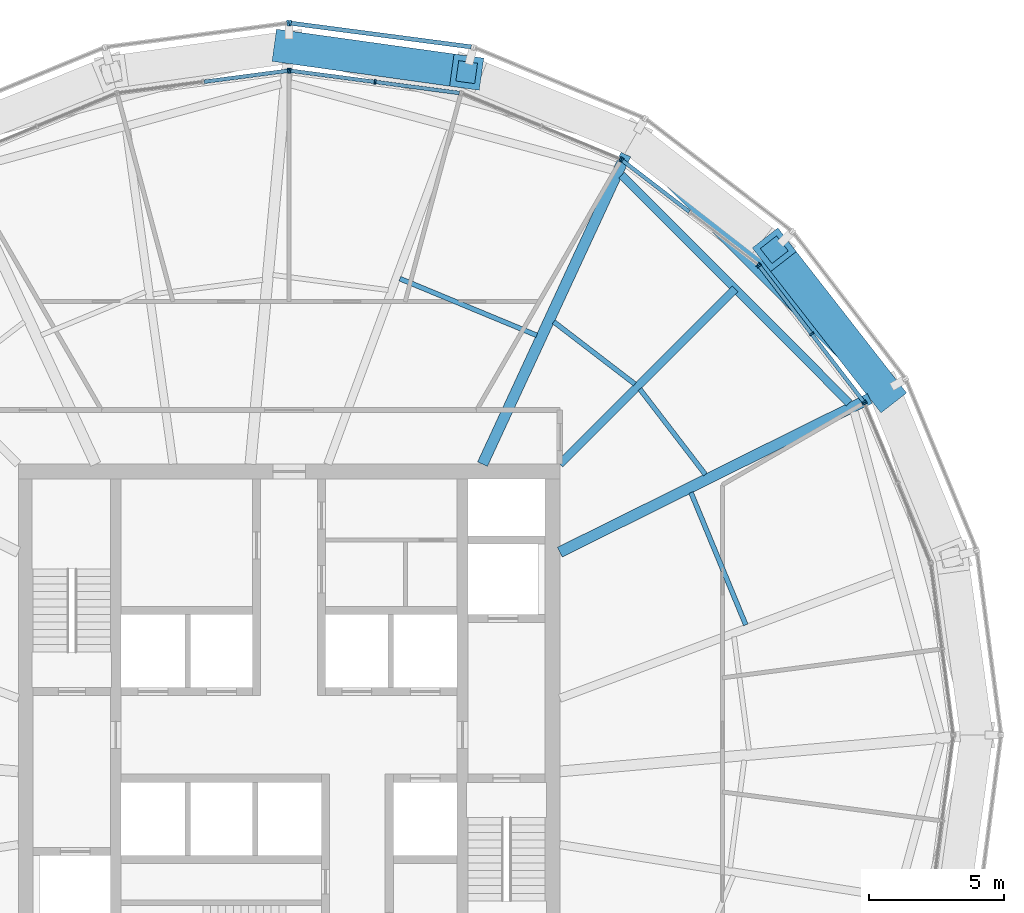
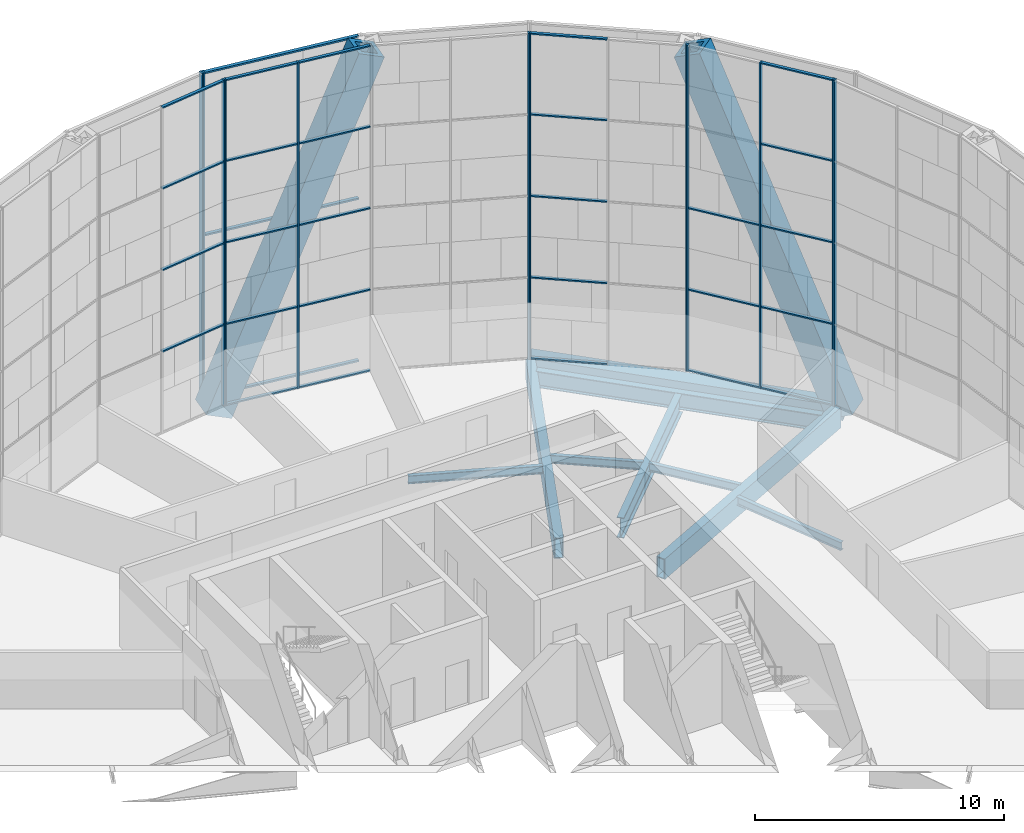
# One storey, part 10 of 29: 44 members, 9 beams, 8 elements without a shape of their own.
"""IFC4 building model written with IfcOpenShell, lengths in metres."""

from ifc_helpers import new_model, si_unit, direction, frame, origin, origin_2d, place, context, subcontext, project, spatial, rectangle, hollow_rectangle, i_section, extrude, material, material_profile, profile_set, type_object, element, aggregate, save


model = new_model("IFC4")

# Units and contexts
model_context = context("Model", 3, precision=1e-05, world=origin(), true_north=direction((0.0, 1.0)))
body_context = subcontext(model_context, "Body", "Model", "MODEL_VIEW")
ifc_project = project(units=[si_unit("LENGTHUNIT", "METRE"), si_unit("AREAUNIT", "SQUARE_METRE"), si_unit("VOLUMEUNIT", "CUBIC_METRE"), si_unit("PLANEANGLEUNIT", "RADIAN"), si_unit("MASSUNIT", "GRAM", prefix="KILO")], contexts=[model_context])

# Site, building, storey
site_placement = place(None, origin())
site = spatial("IfcSite", under=ifc_project, at=site_placement, CompositionType="ELEMENT")
building_placement = place(site_placement, origin())
building = spatial("IfcBuilding", under=site, at=building_placement, Name="Golbaran Civic Tower", CompositionType="ELEMENT")
storey_placement = place(building_placement, frame((0.0, 0.0, 118.0)))
storey = spatial("IfcBuildingStorey", under=building, at=storey_placement, Name="L28", CompositionType="ELEMENT", Elevation=118.0)

# Members
ifc_material_1 = material(Name="Steel S355", Category="steel")
ifc_material_profile_1 = material_profile(ifc_material_1, hollow_rectangle(XDim=1.199951171875, YDim=1.199951171875, WallThickness=0.219970703125, at=origin_2d()), Name="BOX 1200x1200x220")
ifc_profile_set_1 = profile_set([ifc_material_profile_1], Name="Steel S355")
member_type_1 = type_object("IfcMemberType", Name="DIAGRID DIAGONAL BOX 1200x1200x220", PredefinedType="BRACE", material=ifc_profile_set_1)
member_1_placement = place(storey_placement, frame((21.990966796875, 12.696533203125, -0.7099609375), z_axis=(-0.235212402726, 0.301533756345, 0.923987293954), x_axis=(-0.788481923563, -0.615057929153, 0.0)))
element("IfcMember", 1, at=member_1_placement, inside=storey, type_object=member_type_1, Name="Diagonal D06-01R L28-L32", PredefinedType="BRACE", context=body_context, shape_type="SweptSolid", body=[
    extrude(hollow_rectangle(XDim=1.199951171875, YDim=1.199951171875, WallThickness=0.219970703125, at=origin_2d()), origin(), (0.0, 0.0, 1.0), 17.316162109375),
])
member_2_placement = place(storey_placement, frame((0.0, 25.39306640625, -0.7099609375), z_axis=(0.378752046555, -0.052927158382, 0.923983551334), x_axis=(0.138396182918, 0.990376946699, 0.0)))
element("IfcMember", 2, at=member_2_placement, inside=storey, type_object=member_type_1, Name="Diagonal D06-03L L28-L32", PredefinedType="BRACE", context=body_context, shape_type="SweptSolid", body=[
    extrude(hollow_rectangle(XDim=1.199951171875, YDim=1.199951171875, WallThickness=0.219970703125, at=origin_2d()), origin(), (0.0, 0.0, 1.0), 17.31640625),
])

# Beams
ifc_material_profile_2 = material_profile(ifc_material_1, hollow_rectangle(XDim=0.699951171875, YDim=0.699951171875, WallThickness=0.080078125, at=origin_2d()), Name="BOX 700x700x80")
ifc_profile_set_2 = profile_set([ifc_material_profile_2], Name="Steel S355")
beam_type_1 = type_object("IfcBeamType", Name="DIAGRID RING TIE BOX 700x700x80", PredefinedType="BEAM", material=ifc_profile_set_2)
beam_1_placement = place(storey_placement, frame((21.990966796875, 12.696533203125, -0.7099609375), z_axis=(-0.707106781187, 0.707106781187, 0.0), x_axis=(-0.707106781187, -0.707106781187, 0.0)))
element("IfcBeam", 3, at=beam_1_placement, inside=storey, type_object=beam_type_1, Name="Ring tie 30.00 L28", PredefinedType="BEAM", context=body_context, shape_type="SweptSolid", body=[
    extrude(hollow_rectangle(XDim=0.699951171875, YDim=0.699951171875, WallThickness=0.080078125, at=origin_2d()), origin(), (0.0, 0.0, 1.0), 13.144287109375),
])
ifc_material_profile_3 = material_profile(ifc_material_1, i_section(OverallWidth=0.300048828125, OverallDepth=0.800048828125, WebThickness=0.017578125, FlangeThickness=0.032958984375, FilletRadius=0.030029296875, at=origin_2d()), Name="HEB 800")
ifc_profile_set_3 = profile_set([ifc_material_profile_3], Name="Steel S355")
beam_type_2 = type_object("IfcBeamType", Name="EDGE BEAM HEB 800", PredefinedType="BEAM", material=ifc_profile_set_3)
beam_2_placement = place(storey_placement, frame((20.690673828125, 12.252685546875, -0.60009765625), z_axis=(-0.70660386413, 0.707609340806, 0.0), x_axis=(-0.707609340806, -0.70660386413, 0.0)))
element("IfcBeam", 4, at=beam_2_placement, inside=storey, type_object=beam_type_2, Name="Edge beam 30.00 L28", PredefinedType="BEAM", context=body_context, shape_type="SweptSolid", body=[
    extrude(i_section(OverallWidth=0.300048828125, OverallDepth=0.800048828125, WebThickness=0.017578125, FlangeThickness=0.032958984375, FilletRadius=0.030029296875, at=origin_2d()), origin(), (0.0, 0.0, 1.0), 11.897705078125),
])
ifc_material_profile_4 = material_profile(ifc_material_1, i_section(OverallWidth=0.179931640625, OverallDepth=0.39990234375, WebThickness=0.008544921875, FlangeThickness=0.013427734375, FilletRadius=0.02099609375, at=origin_2d()), Name="IPE 400")
ifc_profile_set_4 = profile_set([ifc_material_profile_4], Name="Steel S355")
beam_type_3 = type_object("IfcBeamType", Name="FLOOR INFILL BEAM IPE 400", PredefinedType="BEAM", material=ifc_profile_set_4)
beam_3_placement = place(storey_placement, frame((16.86669921875, 4.061767578125, -0.39990234375), z_axis=(-0.382691381559, 0.923876239807, 0.0), x_axis=(-0.923876239807, -0.382691381559, 0.0)))
element("IfcBeam", 5, at=beam_3_placement, inside=storey, type_object=beam_type_3, Name="Infill beam 22.50 L28", PredefinedType="BEAM", context=body_context, shape_type="SweptSolid", body=[
    extrude(i_section(OverallWidth=0.179931640625, OverallDepth=0.39990234375, WebThickness=0.008544921875, FlangeThickness=0.013427734375, FilletRadius=0.02099609375, at=origin_2d()), origin(), (0.0, 0.0, 1.0), 5.291259765625),
])
beam_4_placement = place(storey_placement, frame((15.374267578125, 9.6162109375, -0.39990234375), z_axis=(-0.608757665926, 0.793356227792, 0.0), x_axis=(-0.793356227792, -0.608757665926, 0.0)))
element("IfcBeam", 6, at=beam_4_placement, inside=storey, type_object=beam_type_3, Name="Infill beam 37.50 L28", PredefinedType="BEAM", context=body_context, shape_type="SweptSolid", body=[
    extrude(i_section(OverallWidth=0.179931640625, OverallDepth=0.39990234375, WebThickness=0.008544921875, FlangeThickness=0.013427734375, FilletRadius=0.02099609375, at=origin_2d()), origin(), (0.0, 0.0, 1.0), 3.9755859375),
])
beam_5_placement = place(storey_placement, frame((12.771728515625, 12.95556640625, -0.39990234375), z_axis=(-0.793327475399, 0.608795135309, 0.0), x_axis=(-0.608795135309, -0.793327475399, 0.0)))
element("IfcBeam", 7, at=beam_5_placement, inside=storey, type_object=beam_type_3, Name="Infill beam 52.50 L28", PredefinedType="BEAM", context=body_context, shape_type="SweptSolid", body=[
    extrude(i_section(OverallWidth=0.179931640625, OverallDepth=0.39990234375, WebThickness=0.008544921875, FlangeThickness=0.013427734375, FilletRadius=0.02099609375, at=origin_2d()), origin(), (0.0, 0.0, 1.0), 3.77734375),
])
beam_6_placement = place(storey_placement, frame((9.147216796875, 14.756103515625, -0.39990234375), z_axis=(-0.923869483513, 0.382707691891, 0.0), x_axis=(-0.382707691891, -0.923869483513, 0.0)))
element("IfcBeam", 8, at=beam_6_placement, inside=storey, type_object=beam_type_3, Name="Infill beam 67.50 L28", PredefinedType="BEAM", context=body_context, shape_type="SweptSolid", body=[
    extrude(i_section(OverallWidth=0.179931640625, OverallDepth=0.39990234375, WebThickness=0.008544921875, FlangeThickness=0.013427734375, FilletRadius=0.02099609375, at=origin_2d()), origin(), (0.0, 0.0, 1.0), 5.472900390625),
])

# Curtain wall, member
ifc_material_2 = material(Name="Aluminium and glass", Category="aluminium")
curtain_wall_type_1 = type_object("IfcCurtainWallType", Name="INNER SKIN CURTAIN WALL", PredefinedType="NOTDEFINED", material=ifc_material_2)
curtain_wall_1_placement = place(storey_placement, origin())
curtain_wall_1 = element("IfcCurtainWall", 9, at=curtain_wall_1_placement, inside=storey, type_object=curtain_wall_type_1, Name="Inner skin L28 facet 2 CW1", ObjectType="INNER SKIN", PredefinedType="USERDEFINED")
ifc_material_3 = material(Name="Aluminium", Category="aluminium")
ifc_material_profile_5 = material_profile(ifc_material_3, rectangle(XDim=0.179931640625, YDim=0.06494140625, at=origin_2d()), Name="INNER SKIN CURTAIN WALL MULLION")
ifc_profile_set_5 = profile_set([ifc_material_profile_5], Name="Aluminium")
member_type_2 = type_object("IfcMemberType", Name="INNER SKIN CURTAIN WALL MULLION", PredefinedType="MULLION", material=ifc_profile_set_5)
member_3_placement = place(storey_placement, frame((21.259521484375, 12.237060546875, 0.0), z_axis=(0.0, 0.0, 1.0), x_axis=(-0.923879532485, -0.38268343243, 0.0)))
member_3 = element("IfcMember", 10, at=member_3_placement, type_object=member_type_2, Name="CW1 mullion 3", PredefinedType="MULLION", context=body_context, shape_type="SweptSolid", body=[
    extrude(rectangle(XDim=0.179931640625, YDim=0.06494140625, at=origin_2d()), origin(), (0.0, 0.0, 1.0), 16.0),
])
aggregate(curtain_wall_1, [member_3])

# Curtain wall, members
curtain_wall_2_placement = place(storey_placement, origin())
curtain_wall_2 = element("IfcCurtainWall", 11, at=curtain_wall_2_placement, inside=storey, type_object=curtain_wall_type_1, Name="Inner skin L28 facet 3 CW1", ObjectType="INNER SKIN", PredefinedType="USERDEFINED")
member_4_placement = place(storey_placement, frame((21.227294921875, 12.292724609375, 0.0), z_axis=(0.0, 0.0, 1.0), x_axis=(-0.793353340376, -0.608761428898, 0.0)))
member_4 = element("IfcMember", 12, at=member_4_placement, type_object=member_type_2, Name="CW1 mullion 1", PredefinedType="MULLION", context=body_context, shape_type="SweptSolid", body=[
    extrude(rectangle(XDim=0.179931640625, YDim=0.06494140625, at=origin_2d()), origin(), (0.0, 0.0, 1.0), 16.0),
])
member_5_placement = place(storey_placement, frame((19.297607421875, 14.8076171875, 0.0), z_axis=(0.0, 0.0, 1.0), x_axis=(-0.793353340376, -0.608761428898, 0.0)))
member_5 = element("IfcMember", 13, at=member_5_placement, type_object=member_type_2, Name="CW1 mullion 2", PredefinedType="MULLION", context=body_context, shape_type="SweptSolid", body=[
    extrude(rectangle(XDim=0.179931640625, YDim=0.06494140625, at=origin_2d()), origin(), (0.0, 0.0, 1.0), 16.0),
])
member_6_placement = place(storey_placement, frame((17.367919921875, 17.322265625, 0.0), z_axis=(0.0, 0.0, 1.0), x_axis=(-0.793353340376, -0.608761428898, 0.0)))
member_6 = element("IfcMember", 14, at=member_6_placement, type_object=member_type_2, Name="CW1 mullion 3", PredefinedType="MULLION", context=body_context, shape_type="SweptSolid", body=[
    extrude(rectangle(XDim=0.179931640625, YDim=0.06494140625, at=origin_2d()), origin(), (0.0, 0.0, 1.0), 16.0),
])

curtain_wall_3_placement = place(storey_placement, origin())
curtain_wall_3 = element("IfcCurtainWall", 15, at=curtain_wall_3_placement, inside=storey, type_object=curtain_wall_type_1, Name="Inner skin L28 facet 4 CW1", ObjectType="INNER SKIN", PredefinedType="USERDEFINED")
member_7_placement = place(storey_placement, frame((17.322265625, 17.367919921875, 0.0), z_axis=(0.0, 0.0, 1.0), x_axis=(-0.608761428898, -0.793353340376, 0.0)))
member_7 = element("IfcMember", 16, at=member_7_placement, type_object=member_type_2, Name="CW1 mullion 1", PredefinedType="MULLION", context=body_context, shape_type="SweptSolid", body=[
    extrude(rectangle(XDim=0.179931640625, YDim=0.06494140625, at=origin_2d()), origin(), (0.0, 0.0, 1.0), 16.0),
])
member_8_placement = place(storey_placement, frame((12.292724609375, 21.227294921875, 0.0), z_axis=(0.0, 0.0, 1.0), x_axis=(-0.608761428898, -0.793353340376, 0.0)))
member_8 = element("IfcMember", 17, at=member_8_placement, type_object=member_type_2, Name="CW1 mullion 3", PredefinedType="MULLION", context=body_context, shape_type="SweptSolid", body=[
    extrude(rectangle(XDim=0.179931640625, YDim=0.06494140625, at=origin_2d()), origin(), (0.0, 0.0, 1.0), 16.0),
])

# Curtain wall, member
curtain_wall_4_placement = place(storey_placement, origin())
curtain_wall_4 = element("IfcCurtainWall", 18, at=curtain_wall_4_placement, inside=storey, type_object=curtain_wall_type_1, Name="Inner skin L28 facet 5 CW1", ObjectType="INNER SKIN", PredefinedType="USERDEFINED")
member_9_placement = place(storey_placement, frame((12.237060546875, 21.259521484375, 0.0), z_axis=(0.0, 0.0, 1.0), x_axis=(-0.38268343243, -0.923879532485, 0.0)))
member_9 = element("IfcMember", 19, at=member_9_placement, type_object=member_type_2, Name="CW1 mullion 1", PredefinedType="MULLION", context=body_context, shape_type="SweptSolid", body=[
    extrude(rectangle(XDim=0.179931640625, YDim=0.06494140625, at=origin_2d()), origin(), (0.0, 0.0, 1.0), 16.0),
])
aggregate(curtain_wall_4, [member_9])

# Curtain wall, members
curtain_wall_5_placement = place(storey_placement, origin())
curtain_wall_5 = element("IfcCurtainWall", 20, at=curtain_wall_5_placement, inside=storey, type_object=curtain_wall_type_1, Name="Inner skin L28 facet 6 CW1", ObjectType="INNER SKIN", PredefinedType="USERDEFINED")
member_10_placement = place(storey_placement, frame((3.175048828125, 24.115966796875, 0.0), z_axis=(0.0, 0.0, 1.0), x_axis=(-0.130526192237, -0.991444861372, 0.0)))
member_10 = element("IfcMember", 21, at=member_10_placement, type_object=member_type_2, Name="CW1 mullion 2", PredefinedType="MULLION", context=body_context, shape_type="SweptSolid", body=[
    extrude(rectangle(XDim=0.179931640625, YDim=0.06494140625, at=origin_2d()), origin(), (0.0, 0.0, 1.0), 16.0),
])
member_11_placement = place(storey_placement, frame((0.0322265625, 24.52978515625, 0.0), z_axis=(0.0, 0.0, 1.0), x_axis=(-0.130526192237, -0.991444861372, 0.0)))
member_11 = element("IfcMember", 22, at=member_11_placement, type_object=member_type_2, Name="CW1 mullion 3", PredefinedType="MULLION", context=body_context, shape_type="SweptSolid", body=[
    extrude(rectangle(XDim=0.179931640625, YDim=0.06494140625, at=origin_2d()), origin(), (0.0, 0.0, 1.0), 16.0),
])

# Curtain wall, member
curtain_wall_6_placement = place(storey_placement, origin())
curtain_wall_6 = element("IfcCurtainWall", 23, at=curtain_wall_6_placement, inside=storey, type_object=curtain_wall_type_1, Name="Inner skin L28 facet 7 CW1", ObjectType="INNER SKIN", PredefinedType="USERDEFINED")
member_12_placement = place(storey_placement, frame((-0.0322265625, 24.52978515625, 0.0), z_axis=(0.0, 0.0, 1.0), x_axis=(0.130526192237, -0.991444861372, 0.0)))
member_12 = element("IfcMember", 24, at=member_12_placement, type_object=member_type_2, Name="CW1 mullion 1", PredefinedType="MULLION", context=body_context, shape_type="SweptSolid", body=[
    extrude(rectangle(XDim=0.179931640625, YDim=0.06494140625, at=origin_2d()), origin(), (0.0, 0.0, 1.0), 16.0),
])

# Member
ifc_material_profile_6 = material_profile(ifc_material_3, rectangle(XDim=0.139892578125, YDim=0.06494140625, at=origin_2d()), Name="INNER SKIN CURTAIN WALL TRANSOM")
ifc_profile_set_6 = profile_set([ifc_material_profile_6], Name="Aluminium")
member_type_3 = type_object("IfcMemberType", Name="INNER SKIN CURTAIN WALL TRANSOM", PredefinedType="USERDEFINED", material=ifc_profile_set_6)
member_13_placement = place(storey_placement, frame((21.20751953125, 12.318603515625, 0.032470703125), z_axis=(-0.608783107568, 0.793336705277, 0.0), x_axis=(-0.793336705277, -0.608783107568, 0.0)))
member_13 = element("IfcMember", 25, at=member_13_placement, type_object=member_type_3, Name="CW1 transom 1.1", ObjectType="TRANSOM", PredefinedType="USERDEFINED", context=body_context, shape_type="SweptSolid", body=[
    extrude(rectangle(XDim=0.139892578125, YDim=0.06494140625, at=origin_2d()), origin(), (0.0, 0.0, 1.0), 3.104736328125),
])

member_14_placement = place(storey_placement, frame((21.20751953125, 12.318603515625, 4.0), z_axis=(-0.608783107568, 0.793336705277, 0.0), x_axis=(-0.793336705277, -0.608783107568, 0.0)))
member_14 = element("IfcMember", 26, at=member_14_placement, type_object=member_type_3, Name="CW1 transom 1.2", ObjectType="TRANSOM", PredefinedType="USERDEFINED", context=body_context, shape_type="SweptSolid", body=[
    extrude(rectangle(XDim=0.139892578125, YDim=0.06494140625, at=origin_2d()), origin(), (0.0, 0.0, 1.0), 3.104736328125),
])

member_15_placement = place(storey_placement, frame((21.20751953125, 12.318603515625, 8.0), z_axis=(-0.608783107568, 0.793336705277, 0.0), x_axis=(-0.793336705277, -0.608783107568, 0.0)))
member_15 = element("IfcMember", 27, at=member_15_placement, type_object=member_type_3, Name="CW1 transom 1.3", ObjectType="TRANSOM", PredefinedType="USERDEFINED", context=body_context, shape_type="SweptSolid", body=[
    extrude(rectangle(XDim=0.139892578125, YDim=0.06494140625, at=origin_2d()), origin(), (0.0, 0.0, 1.0), 3.104736328125),
])

member_16_placement = place(storey_placement, frame((21.20751953125, 12.318603515625, 12.0), z_axis=(-0.608783107568, 0.793336705277, 0.0), x_axis=(-0.793336705277, -0.608783107568, 0.0)))
member_16 = element("IfcMember", 28, at=member_16_placement, type_object=member_type_3, Name="CW1 transom 1.4", ObjectType="TRANSOM", PredefinedType="USERDEFINED", context=body_context, shape_type="SweptSolid", body=[
    extrude(rectangle(XDim=0.139892578125, YDim=0.06494140625, at=origin_2d()), origin(), (0.0, 0.0, 1.0), 3.104736328125),
])

member_17_placement = place(storey_placement, frame((21.20751953125, 12.318603515625, 15.967529296875), z_axis=(-0.608783107568, 0.793336705277, 0.0), x_axis=(-0.793336705277, -0.608783107568, 0.0)))
member_17 = element("IfcMember", 29, at=member_17_placement, type_object=member_type_3, Name="CW1 transom 1.5", ObjectType="TRANSOM", PredefinedType="USERDEFINED", context=body_context, shape_type="SweptSolid", body=[
    extrude(rectangle(XDim=0.139892578125, YDim=0.06494140625, at=origin_2d()), origin(), (0.0, 0.0, 1.0), 3.104736328125),
])

member_18_placement = place(storey_placement, frame((19.27783203125, 14.833251953125, 0.032470703125), z_axis=(-0.60874513146, 0.793365845574, 0.0), x_axis=(-0.793365845574, -0.60874513146, 0.0)))
member_18 = element("IfcMember", 30, at=member_18_placement, type_object=member_type_3, Name="CW1 transom 2.1", ObjectType="TRANSOM", PredefinedType="USERDEFINED", context=body_context, shape_type="SweptSolid", body=[
    extrude(rectangle(XDim=0.139892578125, YDim=0.06494140625, at=origin_2d()), origin(), (0.0, 0.0, 1.0), 3.10498046875),
])

member_19_placement = place(storey_placement, frame((19.27783203125, 14.833251953125, 4.0), z_axis=(-0.60874513146, 0.793365845574, 0.0), x_axis=(-0.793365845574, -0.60874513146, 0.0)))
member_19 = element("IfcMember", 31, at=member_19_placement, type_object=member_type_3, Name="CW1 transom 2.2", ObjectType="TRANSOM", PredefinedType="USERDEFINED", context=body_context, shape_type="SweptSolid", body=[
    extrude(rectangle(XDim=0.139892578125, YDim=0.06494140625, at=origin_2d()), origin(), (0.0, 0.0, 1.0), 3.10498046875),
])

member_20_placement = place(storey_placement, frame((19.27783203125, 14.833251953125, 8.0), z_axis=(-0.60874513146, 0.793365845574, 0.0), x_axis=(-0.793365845574, -0.60874513146, 0.0)))
member_20 = element("IfcMember", 32, at=member_20_placement, type_object=member_type_3, Name="CW1 transom 2.3", ObjectType="TRANSOM", PredefinedType="USERDEFINED", context=body_context, shape_type="SweptSolid", body=[
    extrude(rectangle(XDim=0.139892578125, YDim=0.06494140625, at=origin_2d()), origin(), (0.0, 0.0, 1.0), 3.10498046875),
])

aggregate(curtain_wall_2, [member_4, member_5, member_6, member_13, member_14, member_15, member_16, member_17, member_18, member_19, member_20])

member_21_placement = place(storey_placement, frame((14.78173828125, 19.3173828125, 0.032470703125), z_axis=(-0.793336705277, 0.608783107568, 0.0), x_axis=(-0.608783107568, -0.793336705277, 0.0)))
member_21 = element("IfcMember", 33, at=member_21_placement, type_object=member_type_3, Name="CW1 transom 2.1", ObjectType="TRANSOM", PredefinedType="USERDEFINED", context=body_context, shape_type="SweptSolid", body=[
    extrude(rectangle(XDim=0.139892578125, YDim=0.06494140625, at=origin_2d()), origin(), (0.0, 0.0, 1.0), 3.104736328125),
])

member_22_placement = place(storey_placement, frame((14.78173828125, 19.3173828125, 4.0), z_axis=(-0.793336705277, 0.608783107568, 0.0), x_axis=(-0.608783107568, -0.793336705277, 0.0)))
member_22 = element("IfcMember", 34, at=member_22_placement, type_object=member_type_3, Name="CW1 transom 2.2", ObjectType="TRANSOM", PredefinedType="USERDEFINED", context=body_context, shape_type="SweptSolid", body=[
    extrude(rectangle(XDim=0.139892578125, YDim=0.06494140625, at=origin_2d()), origin(), (0.0, 0.0, 1.0), 3.104736328125),
])

member_23_placement = place(storey_placement, frame((14.78173828125, 19.3173828125, 8.0), z_axis=(-0.793336705277, 0.608783107568, 0.0), x_axis=(-0.608783107568, -0.793336705277, 0.0)))
member_23 = element("IfcMember", 35, at=member_23_placement, type_object=member_type_3, Name="CW1 transom 2.3", ObjectType="TRANSOM", PredefinedType="USERDEFINED", context=body_context, shape_type="SweptSolid", body=[
    extrude(rectangle(XDim=0.139892578125, YDim=0.06494140625, at=origin_2d()), origin(), (0.0, 0.0, 1.0), 3.104736328125),
])

member_24_placement = place(storey_placement, frame((14.78173828125, 19.3173828125, 12.0), z_axis=(-0.793336705277, 0.608783107568, 0.0), x_axis=(-0.608783107568, -0.793336705277, 0.0)))
member_24 = element("IfcMember", 36, at=member_24_placement, type_object=member_type_3, Name="CW1 transom 2.4", ObjectType="TRANSOM", PredefinedType="USERDEFINED", context=body_context, shape_type="SweptSolid", body=[
    extrude(rectangle(XDim=0.139892578125, YDim=0.06494140625, at=origin_2d()), origin(), (0.0, 0.0, 1.0), 3.104736328125),
])

member_25_placement = place(storey_placement, frame((14.78173828125, 19.3173828125, 15.967529296875), z_axis=(-0.793336705277, 0.608783107568, 0.0), x_axis=(-0.608783107568, -0.793336705277, 0.0)))
member_25 = element("IfcMember", 37, at=member_25_placement, type_object=member_type_3, Name="CW1 transom 2.5", ObjectType="TRANSOM", PredefinedType="USERDEFINED", context=body_context, shape_type="SweptSolid", body=[
    extrude(rectangle(XDim=0.139892578125, YDim=0.06494140625, at=origin_2d()), origin(), (0.0, 0.0, 1.0), 3.104736328125),
])

aggregate(curtain_wall_3, [member_7, member_8, member_21, member_22, member_23, member_24, member_25])

member_26_placement = place(storey_placement, frame((6.285400390625, 23.70654296875, 0.032470703125), z_axis=(-0.991443586136, 0.130535878251, 0.0), x_axis=(-0.130535878251, -0.991443586136, 0.0)))
member_26 = element("IfcMember", 38, at=member_26_placement, type_object=member_type_3, Name="CW1 transom 1.1", ObjectType="TRANSOM", PredefinedType="USERDEFINED", context=body_context, shape_type="SweptSolid", body=[
    extrude(rectangle(XDim=0.139892578125, YDim=0.06494140625, at=origin_2d()), origin(), (0.0, 0.0, 1.0), 3.104736328125),
])

member_27_placement = place(storey_placement, frame((6.285400390625, 23.70654296875, 4.0), z_axis=(-0.991443586136, 0.130535878251, 0.0), x_axis=(-0.130535878251, -0.991443586136, 0.0)))
member_27 = element("IfcMember", 39, at=member_27_placement, type_object=member_type_3, Name="CW1 transom 1.2", ObjectType="TRANSOM", PredefinedType="USERDEFINED", context=body_context, shape_type="SweptSolid", body=[
    extrude(rectangle(XDim=0.139892578125, YDim=0.06494140625, at=origin_2d()), origin(), (0.0, 0.0, 1.0), 3.104736328125),
])

member_28_placement = place(storey_placement, frame((6.285400390625, 23.70654296875, 8.0), z_axis=(-0.991443586136, 0.130535878251, 0.0), x_axis=(-0.130535878251, -0.991443586136, 0.0)))
member_28 = element("IfcMember", 40, at=member_28_placement, type_object=member_type_3, Name="CW1 transom 1.3", ObjectType="TRANSOM", PredefinedType="USERDEFINED", context=body_context, shape_type="SweptSolid", body=[
    extrude(rectangle(XDim=0.139892578125, YDim=0.06494140625, at=origin_2d()), origin(), (0.0, 0.0, 1.0), 3.104736328125),
])

member_29_placement = place(storey_placement, frame((6.285400390625, 23.70654296875, 12.0), z_axis=(-0.991443586136, 0.130535878251, 0.0), x_axis=(-0.130535878251, -0.991443586136, 0.0)))
member_29 = element("IfcMember", 41, at=member_29_placement, type_object=member_type_3, Name="CW1 transom 1.4", ObjectType="TRANSOM", PredefinedType="USERDEFINED", context=body_context, shape_type="SweptSolid", body=[
    extrude(rectangle(XDim=0.139892578125, YDim=0.06494140625, at=origin_2d()), origin(), (0.0, 0.0, 1.0), 3.104736328125),
])

member_30_placement = place(storey_placement, frame((6.285400390625, 23.70654296875, 15.967529296875), z_axis=(-0.991443586136, 0.130535878251, 0.0), x_axis=(-0.130535878251, -0.991443586136, 0.0)))
member_30 = element("IfcMember", 42, at=member_30_placement, type_object=member_type_3, Name="CW1 transom 1.5", ObjectType="TRANSOM", PredefinedType="USERDEFINED", context=body_context, shape_type="SweptSolid", body=[
    extrude(rectangle(XDim=0.139892578125, YDim=0.06494140625, at=origin_2d()), origin(), (0.0, 0.0, 1.0), 3.104736328125),
])

member_31_placement = place(storey_placement, frame((3.142822265625, 24.120361328125, 0.032470703125), z_axis=(-0.991444925907, 0.130525702039, 0.0), x_axis=(-0.130525702039, -0.991444925907, 0.0)))
member_31 = element("IfcMember", 43, at=member_31_placement, type_object=member_type_3, Name="CW1 transom 2.1", ObjectType="TRANSOM", PredefinedType="USERDEFINED", context=body_context, shape_type="SweptSolid", body=[
    extrude(rectangle(XDim=0.139892578125, YDim=0.06494140625, at=origin_2d()), origin(), (0.0, 0.0, 1.0), 3.10498046875),
])

member_32_placement = place(storey_placement, frame((3.142822265625, 24.120361328125, 4.0), z_axis=(-0.991444925907, 0.130525702039, 0.0), x_axis=(-0.130525702039, -0.991444925907, 0.0)))
member_32 = element("IfcMember", 44, at=member_32_placement, type_object=member_type_3, Name="CW1 transom 2.2", ObjectType="TRANSOM", PredefinedType="USERDEFINED", context=body_context, shape_type="SweptSolid", body=[
    extrude(rectangle(XDim=0.139892578125, YDim=0.06494140625, at=origin_2d()), origin(), (0.0, 0.0, 1.0), 3.10498046875),
])

member_33_placement = place(storey_placement, frame((3.142822265625, 24.120361328125, 8.0), z_axis=(-0.991444925907, 0.130525702039, 0.0), x_axis=(-0.130525702039, -0.991444925907, 0.0)))
member_33 = element("IfcMember", 45, at=member_33_placement, type_object=member_type_3, Name="CW1 transom 2.3", ObjectType="TRANSOM", PredefinedType="USERDEFINED", context=body_context, shape_type="SweptSolid", body=[
    extrude(rectangle(XDim=0.139892578125, YDim=0.06494140625, at=origin_2d()), origin(), (0.0, 0.0, 1.0), 3.10498046875),
])

member_34_placement = place(storey_placement, frame((3.142822265625, 24.120361328125, 12.0), z_axis=(-0.991444925907, 0.130525702039, 0.0), x_axis=(-0.130525702039, -0.991444925907, 0.0)))
member_34 = element("IfcMember", 46, at=member_34_placement, type_object=member_type_3, Name="CW1 transom 2.4", ObjectType="TRANSOM", PredefinedType="USERDEFINED", context=body_context, shape_type="SweptSolid", body=[
    extrude(rectangle(XDim=0.139892578125, YDim=0.06494140625, at=origin_2d()), origin(), (0.0, 0.0, 1.0), 3.10498046875),
])

member_35_placement = place(storey_placement, frame((3.142822265625, 24.120361328125, 15.967529296875), z_axis=(-0.991444925907, 0.130525702039, 0.0), x_axis=(-0.130525702039, -0.991444925907, 0.0)))
member_35 = element("IfcMember", 47, at=member_35_placement, type_object=member_type_3, Name="CW1 transom 2.5", ObjectType="TRANSOM", PredefinedType="USERDEFINED", context=body_context, shape_type="SweptSolid", body=[
    extrude(rectangle(XDim=0.139892578125, YDim=0.06494140625, at=origin_2d()), origin(), (0.0, 0.0, 1.0), 3.10498046875),
])

aggregate(curtain_wall_5, [member_10, member_11, member_26, member_27, member_28, member_29, member_30, member_31, member_32, member_33, member_34, member_35])

member_36_placement = place(storey_placement, frame((-0.064453125, 24.525634765625, 4.0), z_axis=(-0.991444925907, -0.130525702039, 0.0), x_axis=(0.130525702039, -0.991444925907, 0.0)))
member_36 = element("IfcMember", 48, at=member_36_placement, type_object=member_type_3, Name="CW1 transom 1.2", ObjectType="TRANSOM", PredefinedType="USERDEFINED", context=body_context, shape_type="SweptSolid", body=[
    extrude(rectangle(XDim=0.139892578125, YDim=0.06494140625, at=origin_2d()), origin(), (0.0, 0.0, 1.0), 3.10498046875),
])

member_37_placement = place(storey_placement, frame((-0.064453125, 24.525634765625, 8.0), z_axis=(-0.991444925907, -0.130525702039, 0.0), x_axis=(0.130525702039, -0.991444925907, 0.0)))
member_37 = element("IfcMember", 49, at=member_37_placement, type_object=member_type_3, Name="CW1 transom 1.3", ObjectType="TRANSOM", PredefinedType="USERDEFINED", context=body_context, shape_type="SweptSolid", body=[
    extrude(rectangle(XDim=0.139892578125, YDim=0.06494140625, at=origin_2d()), origin(), (0.0, 0.0, 1.0), 3.10498046875),
])

member_38_placement = place(storey_placement, frame((-0.064453125, 24.525634765625, 12.0), z_axis=(-0.991444925907, -0.130525702039, 0.0), x_axis=(0.130525702039, -0.991444925907, 0.0)))
member_38 = element("IfcMember", 50, at=member_38_placement, type_object=member_type_3, Name="CW1 transom 1.4", ObjectType="TRANSOM", PredefinedType="USERDEFINED", context=body_context, shape_type="SweptSolid", body=[
    extrude(rectangle(XDim=0.139892578125, YDim=0.06494140625, at=origin_2d()), origin(), (0.0, 0.0, 1.0), 3.10498046875),
])

member_39_placement = place(storey_placement, frame((-0.064453125, 24.525634765625, 15.967529296875), z_axis=(-0.991444925907, -0.130525702039, 0.0), x_axis=(0.130525702039, -0.991444925907, 0.0)))
member_39 = element("IfcMember", 51, at=member_39_placement, type_object=member_type_3, Name="CW1 transom 1.5", ObjectType="TRANSOM", PredefinedType="USERDEFINED", context=body_context, shape_type="SweptSolid", body=[
    extrude(rectangle(XDim=0.139892578125, YDim=0.06494140625, at=origin_2d()), origin(), (0.0, 0.0, 1.0), 3.10498046875),
])

aggregate(curtain_wall_6, [member_12, member_36, member_37, member_38, member_39])

# Curtain wall, member
curtain_wall_type_2 = type_object("IfcCurtainWallType", Name="OUTER SKIN TERRACOTTA SCREEN", PredefinedType="NOTDEFINED", material=ifc_material_2)
curtain_wall_7_placement = place(storey_placement, origin())
curtain_wall_7 = element("IfcCurtainWall", 52, at=curtain_wall_7_placement, inside=storey, type_object=curtain_wall_type_2, Name="Outer skin L28 facet 6 CW3", ObjectType="OUTER SKIN", PredefinedType="USERDEFINED")
ifc_material_profile_7 = material_profile(ifc_material_3, rectangle(XDim=0.219970703125, YDim=0.080078125, at=origin_2d()), Name="OUTER SKIN TERRACOTTA SCREEN MULLION")
ifc_profile_set_7 = profile_set([ifc_material_profile_7], Name="Aluminium")
member_type_4 = type_object("IfcMemberType", Name="OUTER SKIN TERRACOTTA SCREEN MULLION", PredefinedType="MULLION", material=ifc_profile_set_7)
member_40_placement = place(storey_placement, frame((0.03955078125, 26.287841796875, -0.7099609375), z_axis=(0.0, 0.0, 1.0), x_axis=(-0.130526192168, -0.991444861381, 0.0)))
member_40 = element("IfcMember", 53, at=member_40_placement, type_object=member_type_4, Name="CW3 mullion 2", PredefinedType="MULLION", context=body_context, shape_type="SweptSolid", body=[
    extrude(rectangle(XDim=0.219970703125, YDim=0.080078125, at=origin_2d()), origin(), (0.0, 0.0, 1.0), 16.0),
])

curtain_wall_8_placement = place(storey_placement, origin())
curtain_wall_8 = element("IfcCurtainWall", 54, at=curtain_wall_8_placement, inside=storey, type_object=curtain_wall_type_2, Name="Outer skin L28 facet 7 CW3", ObjectType="OUTER SKIN", PredefinedType="USERDEFINED")
member_41_placement = place(storey_placement, frame((-0.03955078125, 26.287841796875, -0.7099609375), z_axis=(0.0, 0.0, 1.0), x_axis=(0.130526192168, -0.991444861381, 0.0)))
member_41 = element("IfcMember", 55, at=member_41_placement, type_object=member_type_4, Name="CW3 mullion 1", PredefinedType="MULLION", context=body_context, shape_type="SweptSolid", body=[
    extrude(rectangle(XDim=0.219970703125, YDim=0.080078125, at=origin_2d()), origin(), (0.0, 0.0, 1.0), 16.0),
])
aggregate(curtain_wall_8, [member_41])

# Member
ifc_material_profile_8 = material_profile(ifc_material_3, rectangle(XDim=0.159912109375, YDim=0.080078125, at=origin_2d()), Name="OUTER SKIN TERRACOTTA SCREEN TRANSOM")
ifc_profile_set_8 = profile_set([ifc_material_profile_8], Name="Aluminium")
member_type_5 = type_object("IfcMemberType", Name="OUTER SKIN TERRACOTTA SCREEN TRANSOM", PredefinedType="USERDEFINED", material=ifc_profile_set_8)
member_42_placement = place(storey_placement, frame((6.725830078125, 25.407470703125, -0.669921875), z_axis=(-0.991445368442, 0.1305223406, 0.0), x_axis=(-0.1305223406, -0.991445368442, 0.0)))
member_42 = element("IfcMember", 56, at=member_42_placement, type_object=member_type_5, Name="CW3 transom 1.1", ObjectType="TRANSOM", PredefinedType="USERDEFINED", context=body_context, shape_type="SweptSolid", body=[
    extrude(rectangle(XDim=0.159912109375, YDim=0.080078125, at=origin_2d()), origin(), (0.0, 0.0, 1.0), 6.703857421875),
])

member_43_placement = place(storey_placement, frame((6.725830078125, 25.407470703125, 7.2900390625), z_axis=(-0.991445368442, 0.1305223406, 0.0), x_axis=(-0.1305223406, -0.991445368442, 0.0)))
member_43 = element("IfcMember", 57, at=member_43_placement, type_object=member_type_5, Name="CW3 transom 1.2", ObjectType="TRANSOM", PredefinedType="USERDEFINED", context=body_context, shape_type="SweptSolid", body=[
    extrude(rectangle(XDim=0.159912109375, YDim=0.080078125, at=origin_2d()), origin(), (0.0, 0.0, 1.0), 6.703857421875),
])

member_44_placement = place(storey_placement, frame((6.725830078125, 25.407470703125, 15.25), z_axis=(-0.991445368442, 0.1305223406, 0.0), x_axis=(-0.1305223406, -0.991445368442, 0.0)))
member_44 = element("IfcMember", 58, at=member_44_placement, type_object=member_type_5, Name="CW3 transom 1.3", ObjectType="TRANSOM", PredefinedType="USERDEFINED", context=body_context, shape_type="SweptSolid", body=[
    extrude(rectangle(XDim=0.159912109375, YDim=0.080078125, at=origin_2d()), origin(), (0.0, 0.0, 1.0), 6.703857421875),
])

aggregate(curtain_wall_7, [member_40, member_42, member_43, member_44])

# Beams
ifc_material_profile_9 = material_profile(ifc_material_1, hollow_rectangle(XDim=0.39990234375, YDim=1.0, WallThickness=0.0400390625, at=origin_2d()), Name="BOX 1000x400x40")
ifc_profile_set_9 = profile_set([ifc_material_profile_9], Name="Steel S355")
beam_type_4 = type_object("IfcBeamType", Name="RADIAL FLOOR BEAM BOX 1000x400x40", PredefinedType="BEAM", material=ifc_profile_set_9)
beam_7_placement = place(storey_placement, frame((10.0, 6.75, -0.7099609375), z_axis=(0.895890417993, 0.444275093774, 0.0), x_axis=(-0.444275093774, 0.895890417993, 0.0)))
element("IfcBeam", 59, at=beam_7_placement, inside=storey, type_object=beam_type_4, Name="Radial beam 30.00 L28", PredefinedType="BEAM", context=body_context, shape_type="SweptSolid", body=[
    extrude(hollow_rectangle(XDim=0.39990234375, YDim=1.0, WallThickness=0.0400390625, at=origin_2d()), origin(), (0.0, 0.0, 1.0), 12.77197265625),
])
beam_8_placement = place(storey_placement, frame((7.142822265625, 10.0, -0.7099609375), z_axis=(0.420263345049, 0.907402182501, 0.0), x_axis=(-0.907402182501, 0.420263345049, 0.0)))
element("IfcBeam", 60, at=beam_8_placement, inside=storey, type_object=beam_type_4, Name="Radial beam 60.00 L28", PredefinedType="BEAM", context=body_context, shape_type="SweptSolid", body=[
    extrude(hollow_rectangle(XDim=0.39990234375, YDim=1.0, WallThickness=0.0400390625, at=origin_2d()), origin(), (0.0, 0.0, 1.0), 12.598388671875),
])
ifc_material_profile_10 = material_profile(ifc_material_1, i_section(OverallWidth=0.300048828125, OverallDepth=1.0, WebThickness=0.01904296875, FlangeThickness=0.035888671875, FilletRadius=0.030029296875, at=origin_2d()), Name="HEB 1000")
ifc_profile_set_10 = profile_set([ifc_material_profile_10], Name="Steel S355")
beam_type_5 = type_object("IfcBeamType", Name="SECONDARY FLOOR BEAM HEB 1000", PredefinedType="BEAM", material=ifc_profile_set_10)
beam_9_placement = place(storey_placement, frame((10.0, 10.0, -0.7099609375), z_axis=(0.707106781187, 0.707106781187, 0.0), x_axis=(-0.707106781187, 0.707106781187, 0.0)))
element("IfcBeam", 61, at=beam_9_placement, inside=storey, type_object=beam_type_5, Name="Secondary beam 45.00 L28", PredefinedType="BEAM", context=body_context, shape_type="SweptSolid", body=[
    extrude(i_section(OverallWidth=0.300048828125, OverallDepth=1.0, WebThickness=0.01904296875, FlangeThickness=0.035888671875, FilletRadius=0.030029296875, at=origin_2d()), origin(), (0.0, 0.0, 1.0), 9.156494140625),
])

save(model, "model.ifc")
